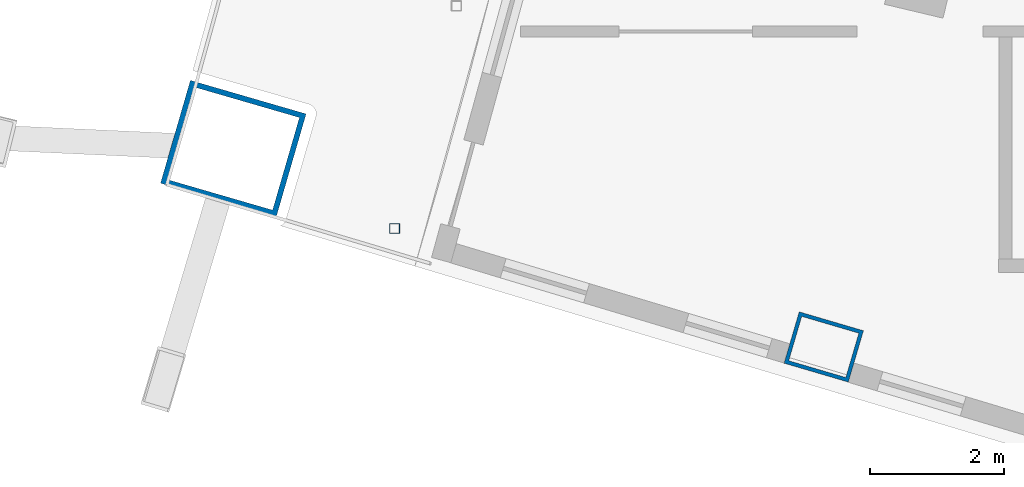
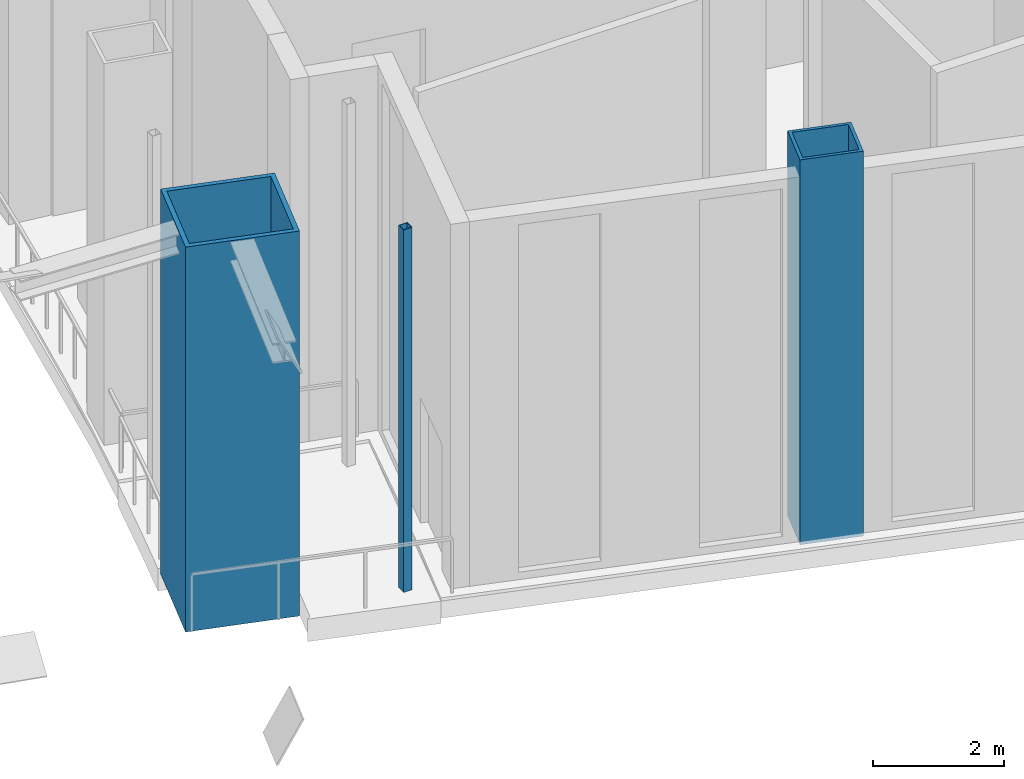
# One storey, part 1 of 26: 3 columns.
"""IFC4 building model written with IfcOpenShell, lengths in metres."""

import ifcopenshell
import ifcopenshell.guid

model = None  # the IFC model being written
_history = None  # IfcOwnerHistory: only IFC2X3 demands one
_inside = {}  # id of a spatial element -> (the spatial element, [elements in it])
_under = {}  # id of a project, library or spatial element -> (it, [spatial elements below it])
_declared = {}  # id of a project -> (the project, [libraries it declares])
_typed = {}  # id of a type object -> (the type object, [elements of that type])
_made_of = {}  # id of a material, layer set ... -> (it, [elements and type objects made of it])


def new_model(schema):
    """Start an empty IFC model of exactly this schema.

    Asked for "IFC4X3", IfcOpenShell would pick the latest addendum, in which some entities
    have other attributes; the version numbers below select the first issue.
    IFC2X3 requires an IfcOwnerHistory on every rooted entity: one is made here for all.
    """
    global model, _history
    if schema == "IFC4X3":
        model = ifcopenshell.file(schema_version=(4, 3, 0, 0))
    else:
        model = ifcopenshell.file(schema=schema)
    _inside.clear()
    _under.clear()
    _declared.clear()
    _typed.clear()
    _made_of.clear()
    _history = None
    if model.schema == "IFC2X3":
        org = make("IfcOrganization", Name="unknown")
        user = make(
            "IfcPersonAndOrganization",
            ThePerson=make("IfcPerson", FamilyName="unknown"),
            TheOrganization=org,
        )
        app = make(
            "IfcApplication",
            ApplicationDeveloper=org,
            Version="unknown",
            ApplicationFullName="unknown",
            ApplicationIdentifier="unknown",
        )
        _history = make(
            "IfcOwnerHistory",
            OwningUser=user,
            OwningApplication=app,
            ChangeAction="ADDED",
            CreationDate=0,
        )
    return model


def make(cls, **values):
    """One entity of the class cls with the attributes given. An attribute that is None is left unset."""
    return model.create_entity(
        cls, **{name: value for name, value in values.items() if value is not None}
    )


def rooted(cls, **values):
    """An entity with a GlobalId (a new one), such as an element, a storey or a relation."""
    return make(cls, GlobalId=ifcopenshell.guid.new(), OwnerHistory=_history, **values)


def si_unit(unit_type, name, prefix=None):
    """IfcSIUnit, for example si_unit("LENGTHUNIT", "METRE", prefix="MILLI")."""
    return make("IfcSIUnit", UnitType=unit_type, Prefix=prefix, Name=name)


def assignment(units):
    """IfcUnitAssignment: the units of a project."""
    return None if units is None else make("IfcUnitAssignment", Units=units)


def point(xyz):
    """IfcCartesianPoint."""
    return None if xyz is None else make("IfcCartesianPoint", Coordinates=xyz)


def direction(xyz):
    """IfcDirection."""
    return None if xyz is None else make("IfcDirection", DirectionRatios=xyz)


def frame(location, z_axis=None, x_axis=None):
    """IfcAxis2Placement3D, a coordinate frame: its origin and axes. An axis left out is left unset."""
    return make(
        "IfcAxis2Placement3D",
        Location=point(location),
        Axis=direction(z_axis),
        RefDirection=direction(x_axis),
    )


def frame_2d(location, x_axis=None):
    """IfcAxis2Placement2D, a coordinate frame in the plane: its origin and x axis."""
    return make(
        "IfcAxis2Placement2D", Location=point(location), RefDirection=direction(x_axis)
    )


def origin():
    """The frame at (0, 0, 0) with its axes left unset."""
    return frame((0.0, 0.0, 0.0))


def origin_2d():
    """The frame at (0, 0) in the plane with its x axis left unset."""
    return frame_2d((0.0, 0.0))


def place(relative_to, where):
    """IfcLocalPlacement: puts the frame where relative to a parent placement (None: the world)."""
    return make(
        "IfcLocalPlacement", PlacementRelTo=relative_to, RelativePlacement=where
    )


def context(
    kind, dimensions, precision=None, world=None, true_north=None, identifier=None
):
    """IfcGeometricRepresentationContext, for example the 3D "Model" context."""
    return make(
        "IfcGeometricRepresentationContext",
        ContextIdentifier=identifier,
        ContextType=kind,
        CoordinateSpaceDimension=dimensions,
        Precision=precision,
        WorldCoordinateSystem=world,
        TrueNorth=true_north,
    )


def subcontext(parent, identifier, kind, view, scale=None):
    """IfcGeometricRepresentationSubContext, for example "Body" below "Model"."""
    return make(
        "IfcGeometricRepresentationSubContext",
        ContextIdentifier=identifier,
        ContextType=kind,
        ParentContext=parent,
        TargetScale=scale,
        TargetView=view,
    )


def project(units=None, contexts=None):
    """IfcProject with its units and contexts."""
    return rooted(
        "IfcProject",
        Name="project",
        RepresentationContexts=contexts,
        UnitsInContext=assignment(units),
    )


def spatial(cls, under=None, at=None, **own):
    """A site, building, storey or space (cls), placed at a placement, below another one or the project."""
    s = rooted(cls, ObjectPlacement=at, **own)
    if under is not None:
        _under.setdefault(under.id(), (under, []))[1].append(s)
    return s


def profile(cls, at=None, kind="AREA", **sizes):
    """A parametric profile (cls). Its sizes go by their IFC names, for example OverallWidth=200.0."""
    return make(cls, ProfileType=kind, Position=at, **sizes)


def hollow_rectangle(**sizes):
    """IfcRectangleHollowProfileDef."""
    return profile("IfcRectangleHollowProfileDef", **sizes)


def extrude(swept, where, along, depth):
    """IfcExtrudedAreaSolid: the profile swept, set in the frame where, extruded along a direction by depth."""
    return make(
        "IfcExtrudedAreaSolid",
        SweptArea=swept,
        Position=where,
        ExtrudedDirection=direction(along),
        Depth=depth,
    )


def shape(context_of_items, identifier, shape_type, items):
    """IfcShapeRepresentation: the items that make up one representation, for example the "Body"."""
    return make(
        "IfcShapeRepresentation",
        ContextOfItems=context_of_items,
        RepresentationIdentifier=identifier,
        RepresentationType=shape_type,
        Items=items,
    )


def material(Name=None, Category=None):
    """IfcMaterial."""
    return make("IfcMaterial", Name=Name, Category=Category)


def material_profile(
    of_material, cross_section, Name=None, Category=None, Priority=None
):
    """IfcMaterialProfile: a cross section and its material."""
    return make(
        "IfcMaterialProfile",
        Name=Name,
        Material=of_material,
        Profile=cross_section,
        Priority=Priority,
        Category=Category,
    )


def profile_set(profiles, Name=None, composite=None):
    """IfcMaterialProfileSet."""
    return make(
        "IfcMaterialProfileSet",
        Name=Name,
        MaterialProfiles=profiles,
        CompositeProfile=composite,
    )


def made_of(thing, what):
    """Note that an element or type object is made of a material, layer set ...; save() writes the relation."""
    if what is not None:
        _made_of.setdefault(what.id(), (what, []))[1].append(thing)
    return thing


def type_object(cls, material=None, **own):
    """A type object (cls), such as IfcWallType, which elements share."""
    return made_of(rooted(cls, **own), material)


def element(
    cls,
    number,
    at=None,
    inside=None,
    cuts=None,
    type_object=None,
    material=None,
    context=None,
    identifier="Body",
    shape_type=None,
    held_by="IfcProductDefinitionShape",
    body=None,
    shapes=None,
    **own,
):
    """One element of the class cls, such as IfcWall. Its Tag is "e" and its number.

    at: its placement. inside: the storey or other place that contains it. cuts: it is an
    opening in that element (IfcRelVoidsElement). A single representation is given by context,
    identifier, shape_type and body (its items); several are given by shapes. held_by: the class
    of the entity that holds the representations. save() writes the other relations.
    """
    e = rooted(cls, Tag="e%d" % number, ObjectPlacement=at, **own)
    if body is not None:
        shapes = [shape(context, identifier, shape_type, body)]
    if shapes is not None:
        e.Representation = make(held_by, Representations=shapes)
    if inside is not None:
        _inside.setdefault(inside.id(), (inside, []))[1].append(e)
    if cuts is not None:
        rooted(
            "IfcRelVoidsElement", RelatingBuildingElement=cuts, RelatedOpeningElement=e
        )
    if type_object is not None:
        _typed.setdefault(type_object.id(), (type_object, []))[1].append(e)
    return made_of(e, material)


def aggregate(whole, parts):
    """IfcRelAggregates: a whole, such as a stair, and the parts it consists of."""
    return rooted("IfcRelAggregates", RelatingObject=whole, RelatedObjects=parts)


def save(model, path):
    """Write the relations noted so far, then the file.

    IfcRelAggregates (storeys below a building ...), IfcRelContainedInSpatialStructure (elements
    in a storey), IfcRelDefinesByType, IfcRelAssociatesMaterial and IfcRelDeclares: one each for
    every whole, place, type object, material and project.
    """
    for whole, parts in _under.values():
        aggregate(whole, parts)
    for where, things in _inside.values():
        rooted(
            "IfcRelContainedInSpatialStructure",
            RelatedElements=things,
            RelatingStructure=where,
        )
    for kind, things in _typed.values():
        rooted("IfcRelDefinesByType", RelatedObjects=things, RelatingType=kind)
    for what, things in _made_of.values():
        rooted("IfcRelAssociatesMaterial", RelatedObjects=things, RelatingMaterial=what)
    for by, libraries in _declared.values():
        rooted("IfcRelDeclares", RelatingContext=by, RelatedDefinitions=libraries)
    model.write(path)


model = new_model("IFC4")

# Units and contexts
model_context = context("Model", 3, precision=1e-05, world=origin(), true_north=direction((0.0, 1.0)))
body_context = subcontext(model_context, "Body", "Model", "MODEL_VIEW")
ifc_project = project(units=[si_unit("LENGTHUNIT", "METRE"), si_unit("AREAUNIT", "SQUARE_METRE"), si_unit("VOLUMEUNIT", "CUBIC_METRE"), si_unit("PLANEANGLEUNIT", "RADIAN"), si_unit("MASSUNIT", "GRAM", prefix="KILO")], contexts=[model_context])

# Site, building, storey
site_placement = place(None, origin())
site = spatial("IfcSite", under=ifc_project, at=site_placement, CompositionType="ELEMENT")
building_placement = place(site_placement, origin())
building = spatial("IfcBuilding", under=site, at=building_placement, Name="Alderwake Tower", CompositionType="ELEMENT")
storey_placement = place(building_placement, frame((0.0, 0.0, 182.0)))
storey = spatial("IfcBuildingStorey", under=building, at=storey_placement, Name="L45", CompositionType="ELEMENT", Elevation=182.0)

# Columns
ifc_material_1 = material(Name="Steel ASTM A572 Grade 50 concrete filled C70/85", Category="concrete")
ifc_material_profile_1 = material_profile(ifc_material_1, hollow_rectangle(XDim=0.800048828125, YDim=1.0, WallThickness=0.054931640625, at=origin_2d()), Name="BOX 1000X800X55")
ifc_profile_set_1 = profile_set([ifc_material_profile_1], Name="Steel ASTM A572 Grade 50 concrete filled C70/85")
column_type_1 = type_object("IfcColumnType", Name="End column Z3", PredefinedType="COLUMN", material=ifc_profile_set_1)
column_1_placement = place(storey_placement, frame((21.885498046875, 31.03759765625, 0.0), z_axis=(0.0, 0.0, 1.0), x_axis=(0.282132160283, 0.95937554906, 0.0)))
element("IfcColumn", 1, at=column_1_placement, inside=storey, type_object=column_type_1, Name="Column R02-C1", PredefinedType="COLUMN", context=body_context, shape_type="SweptSolid", body=[
    extrude(hollow_rectangle(XDim=0.800048828125, YDim=1.0, WallThickness=0.054931640625, at=origin_2d()), origin(), (0.0, 0.0, 1.0), 7.199951171875),
])
ifc_material_2 = material(Name="Steel ASTM A500 Grade C", Category="steel")
ifc_material_profile_2 = material_profile(ifc_material_2, hollow_rectangle(XDim=0.15234375, YDim=0.15234375, WallThickness=0.0087890625, at=origin_2d()), Name="HSS6X6X3/8")
ifc_profile_set_2 = profile_set([ifc_material_profile_2], Name="Steel ASTM A500 Grade C")
column_type_2 = type_object("IfcColumnType", Name="Light post HSS6X6X3/8", PredefinedType="COLUMN", material=ifc_profile_set_2)
column_2_placement = place(storey_placement, frame((15.47412109375, 32.805908203125, 0.0), z_axis=(0.0, 0.0, 1.0), x_axis=(1.0, 0.0, 0.0)))
element("IfcColumn", 2, at=column_2_placement, inside=storey, type_object=column_type_2, Name="Terrace post RS2", PredefinedType="COLUMN", context=body_context, shape_type="SweptSolid", body=[
    extrude(hollow_rectangle(XDim=0.15234375, YDim=0.15234375, WallThickness=0.0087890625, at=origin_2d()), origin(), (0.0, 0.0, 1.0), 6.780029296875),
])
ifc_material_3 = material(Name="Steel ASTM A572 Grade 50 concrete filled C70/85", Category="concrete")
ifc_material_profile_3 = material_profile(ifc_material_3, hollow_rectangle(XDim=1.60009765625, YDim=1.800048828125, WallThickness=0.080078125, at=origin_2d()), Name="BOX 1800X1600X80")
ifc_profile_set_3 = profile_set([ifc_material_profile_3], Name="Steel ASTM A572 Grade 50 concrete filled C70/85")
column_type_3 = type_object("IfcColumnType", Name="Mega column Z3", PredefinedType="COLUMN", material=ifc_profile_set_3)
column_3_placement = place(storey_placement, frame((13.06298828125, 34.00244140625, 0.0), z_axis=(0.0, 0.0, 1.0), x_axis=(0.278612301868, 0.960403657452, 0.0)))
element("IfcColumn", 3, at=column_3_placement, inside=storey, type_object=column_type_3, Name="Column R02-C0", PredefinedType="COLUMN", context=body_context, shape_type="SweptSolid", body=[
    extrude(hollow_rectangle(XDim=1.60009765625, YDim=1.800048828125, WallThickness=0.080078125, at=origin_2d()), origin(), (0.0, 0.0, 1.0), 7.199951171875),
])

save(model, "model.ifc")
